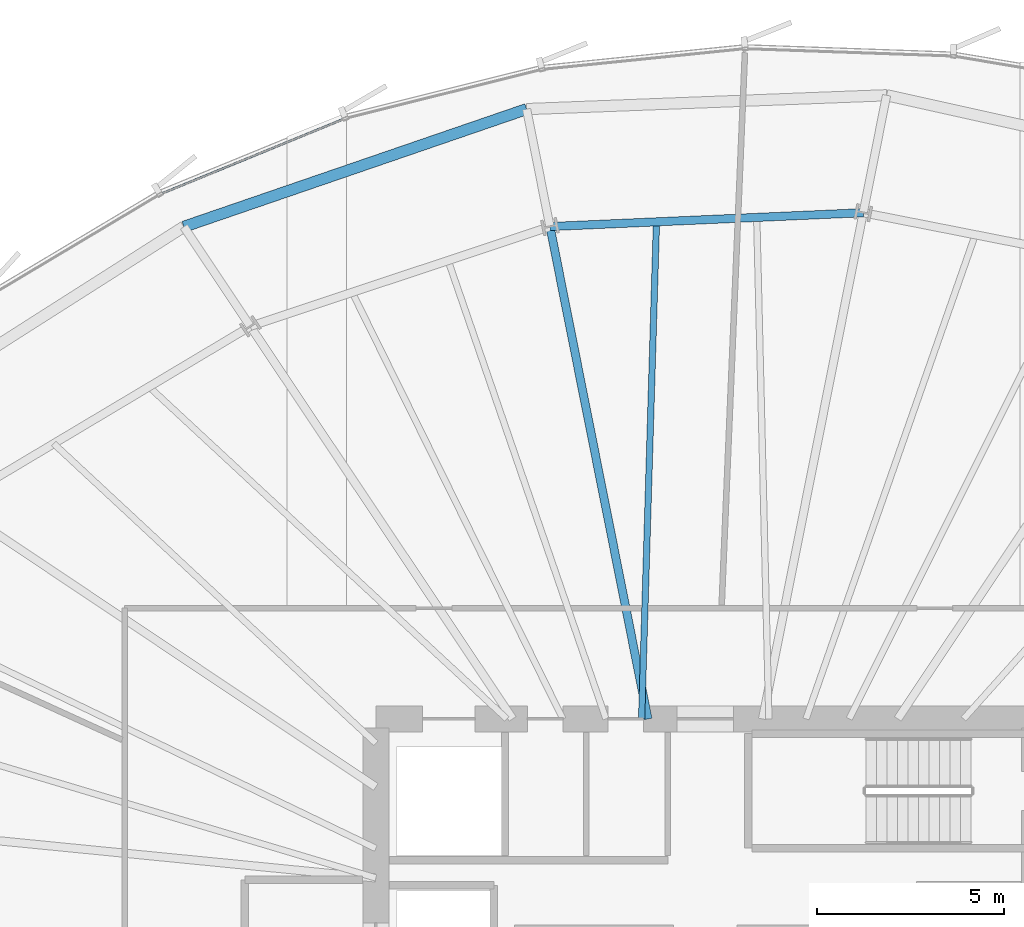
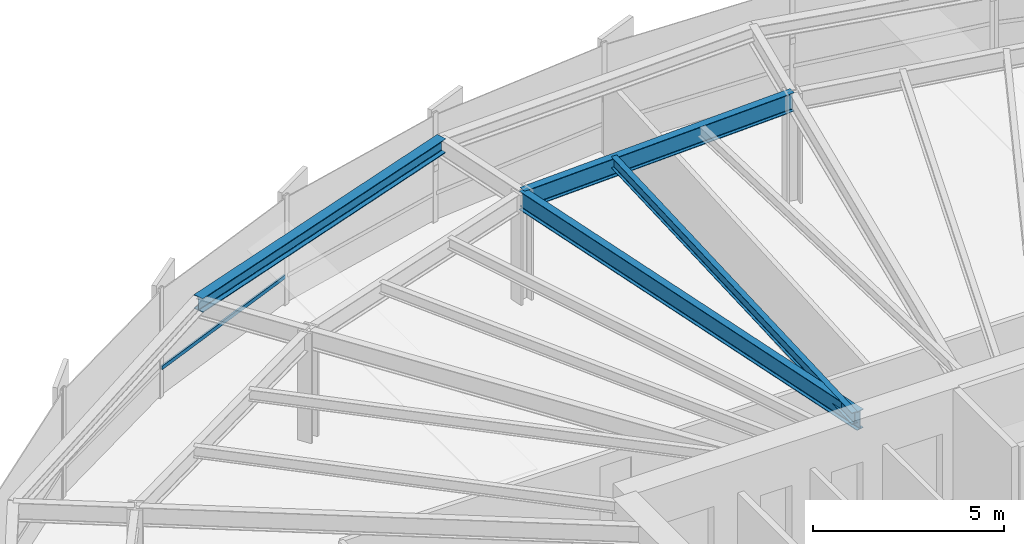
# One storey, part 21 of 35: 4 beams, 1 member, 1 element without a shape of its own.
"""IFC4 building model written with IfcOpenShell, lengths in metres."""

from ifc_helpers import new_model, si_unit, direction, frame, origin, origin_2d, place, context, subcontext, project, spatial, hollow_rectangle, i_section, extrude, source, transform, mapped, material, layer, layer_set, material_profile, profile_set, type_object, element, aggregate, save


model = new_model("IFC4")

# Units and contexts
model_context = context("Model", 3, precision=1e-05, world=origin(), true_north=direction((0.0, 1.0)))
body_context = subcontext(model_context, "Body", "Model", "MODEL_VIEW")
ifc_project = project(units=[si_unit("LENGTHUNIT", "METRE"), si_unit("AREAUNIT", "SQUARE_METRE"), si_unit("VOLUMEUNIT", "CUBIC_METRE"), si_unit("PLANEANGLEUNIT", "RADIAN"), si_unit("MASSUNIT", "GRAM", prefix="KILO"), si_unit("THERMODYNAMICTEMPERATUREUNIT", "KELVIN")], contexts=[model_context])

# Site, building, storey
site_placement = place(None, origin())
site = spatial("IfcSite", under=ifc_project, at=site_placement, CompositionType="ELEMENT")
building_placement = place(site_placement, origin())
building = spatial("IfcBuilding", under=site, at=building_placement, Name="Kethvar Cultural Tower", CompositionType="ELEMENT")
storey_placement = place(building_placement, frame((0.0, 0.0, 71.39990234375)))
storey = spatial("IfcBuildingStorey", under=building, at=storey_placement, Name="L17", CompositionType="ELEMENT", Elevation=71.39990234375)

# Beams
ifc_material_1 = material(Name="Steel S355J2", Category="steel")
ifc_material_profile_1 = material_profile(ifc_material_1, i_section(OverallWidth=0.219970703125, OverallDepth=0.60009765625, WebThickness=0.011962890625, FlangeThickness=0.01904296875, FilletRadius=0.02392578125, at=origin_2d()), Name="Steel S355J2 — IPE600")
ifc_profile_set_1 = profile_set([ifc_material_profile_1], Name="Steel S355J2 — IPE600")
beam_type_1 = type_object("IfcBeamType", Name="BM-IPE600", PredefinedType="BEAM", material=ifc_profile_set_1)
shared_shape_1 = source(origin(), body_context, "Body", "SweptSolid", [
    extrude(i_section(OverallWidth=0.219970703125, OverallDepth=0.60009765625, WebThickness=0.011962890625, FlangeThickness=0.01904296875, FilletRadius=0.02392578125, at=origin_2d()), origin(), (0.0, 0.0, 1.0), 13.41357421875),
])
beam_1_placement = place(storey_placement, frame((45.268310546875, 35.5, 3.238037109375), z_axis=(-0.195079960025, 0.980787341474, 0.0), x_axis=(-0.980787341474, -0.195079960025, 0.0)))
element("IfcBeam", 1, at=beam_1_placement, inside=storey, type_object=beam_type_1, Name="L17 Primary Radial Beam RB-05", PredefinedType="BEAM", context=body_context, shape_type="MappedRepresentation", body=[
    mapped(shared_shape_1, transform((0.0, 0.0, 0.0), scale=1.0)),
])
shared_shape_2 = source(origin(), body_context, "Body", "SweptSolid", [
    extrude(i_section(OverallWidth=0.219970703125, OverallDepth=0.60009765625, WebThickness=0.011962890625, FlangeThickness=0.01904296875, FilletRadius=0.02392578125, at=origin_2d()), origin(), (0.0, 0.0, 1.0), 8.378662109375),
])
beam_2_placement = place(storey_placement, frame((51.022216796875, 49.02587890625, 3.238037109375), z_axis=(-0.999023890534, -0.04417313825, 0.0), x_axis=(0.04417313825, -0.999023890534, 0.0)))
element("IfcBeam", 2, at=beam_2_placement, inside=storey, type_object=beam_type_1, Name="L17 Column Ring Tie Beam CR-04", PredefinedType="BEAM", context=body_context, shape_type="MappedRepresentation", body=[
    mapped(shared_shape_2, transform((0.0, 0.0, 0.0), scale=1.0)),
])
ifc_material_profile_2 = material_profile(ifc_material_1, i_section(OverallWidth=0.169921875, OverallDepth=0.360107421875, WebThickness=0.008056640625, FlangeThickness=0.0126953125, FilletRadius=0.01806640625, at=origin_2d()), Name="Steel S355J2 — IPE360")
ifc_profile_set_2 = profile_set([ifc_material_profile_2], Name="Steel S355J2 — IPE360")
beam_type_2 = type_object("IfcBeamType", Name="BM-J360", PredefinedType="JOIST", material=ifc_profile_set_2)
shared_shape_3 = source(origin(), body_context, "Body", "SweptSolid", [
    extrude(i_section(OverallWidth=0.169921875, OverallDepth=0.360107421875, WebThickness=0.008056640625, FlangeThickness=0.0126953125, FilletRadius=0.01806640625, at=origin_2d()), origin(), (0.0, 0.0, 1.0), 13.287353515625),
])
beam_3_placement = place(storey_placement, frame((45.10009765625, 35.5, 3.358154296875), z_axis=(0.029912529234, 0.999552520178, 0.0), x_axis=(-0.999552520178, 0.029912529234, 0.0)))
element("IfcBeam", 3, at=beam_3_placement, inside=storey, type_object=beam_type_2, Name="L17 Composite Floor Joist J-04B", PredefinedType="JOIST", context=body_context, shape_type="MappedRepresentation", body=[
    mapped(shared_shape_3, transform((0.0, 0.0, 0.0), scale=1.0)),
])
ifc_material_profile_3 = material_profile(ifc_material_1, i_section(OverallWidth=0.300048828125, OverallDepth=0.449951171875, WebThickness=0.013916015625, FlangeThickness=0.02587890625, FilletRadius=0.027099609375, at=origin_2d()), Name="Steel S355J2 — HEB450")
ifc_profile_set_3 = profile_set([ifc_material_profile_3], Name="Steel S355J2 — HEB450")
beam_type_3 = type_object("IfcBeamType", Name="BM-SP450", PredefinedType="SPANDREL", material=ifc_profile_set_3)
shared_shape_4 = source(origin(), body_context, "Body", "SweptSolid", [
    extrude(i_section(OverallWidth=0.300048828125, OverallDepth=0.449951171875, WebThickness=0.013916015625, FlangeThickness=0.02587890625, FilletRadius=0.027099609375, at=origin_2d()), origin(), (0.0, 0.0, 1.0), 9.683349609375),
])
beam_4_placement = place(storey_placement, frame((42.027099609375, 51.794189453125, 3.31298828125), z_axis=(-0.945832074112, -0.324656260652, 0.0), x_axis=(0.324656260652, -0.945832074112, 0.0)))
element("IfcBeam", 4, at=beam_4_placement, inside=storey, type_object=beam_type_3, Name="L17 Perimeter Spandrel Beam SP-05", PredefinedType="SPANDREL", context=body_context, shape_type="MappedRepresentation", body=[
    mapped(shared_shape_4, transform((0.0, 0.0, 0.0), scale=1.0)),
])

# Curtain wall, member
ifc_material_2 = material(Name="Aluminium 6063-T6", Category="aluminium")
ifc_layer = layer(ifc_material_2, 0.179931640625, Name="Aluminium 6063-T6", Category="aluminium")
ifc_layer_set = layer_set([ifc_layer], Name="Aluminium 6063-T6 (180 mm)")
curtain_wall_type = type_object("IfcCurtainWallType", Name="CW-SYS-02-Z1", PredefinedType="NOTDEFINED", material=ifc_layer_set)
curtain_wall_placement = place(storey_placement, origin())
curtain_wall = element("IfcCurtainWall", 5, at=curtain_wall_placement, inside=storey, type_object=curtain_wall_type, Name="L17 Curtain Wall Run 02", PredefinedType="NOTDEFINED")
ifc_material_profile_4 = material_profile(ifc_material_2, hollow_rectangle(XDim=0.054931640625, YDim=0.1201171875, WallThickness=0.00390625, at=origin_2d()), Name="Aluminium 6063-T6 — RHS120x55x4")
ifc_profile_set_4 = profile_set([ifc_material_profile_4], Name="Aluminium 6063-T6 — RHS120x55x4")
member_type = type_object("IfcMemberType", Name="CW-SYS-02-Z1-TRN", PredefinedType="USERDEFINED", material=ifc_profile_set_4)
shared_shape_5 = source(origin(), body_context, "Body", "SweptSolid", [
    extrude(hollow_rectangle(XDim=0.054931640625, YDim=0.1201171875, WallThickness=0.00390625, at=origin_2d()), origin(), (0.0, 0.0, 1.0), 5.280029296875),
])
member_placement = place(storey_placement, frame((37.143310546875, 51.531005859375, 0.9501953125), z_axis=(-0.925292636763, -0.37925392068, 0.0), x_axis=(0.37925392068, -0.925292636763, 0.0)))
member = element("IfcMember", 6, at=member_placement, type_object=member_type, Name="CW-L17-R02 Transom 5", ObjectType="TRANSOM", PredefinedType="USERDEFINED", context=body_context, shape_type="MappedRepresentation", body=[
    mapped(shared_shape_5, transform((0.0, 0.0, 0.0), scale=1.0)),
])
aggregate(curtain_wall, [member])

save(model, "model.ifc")
